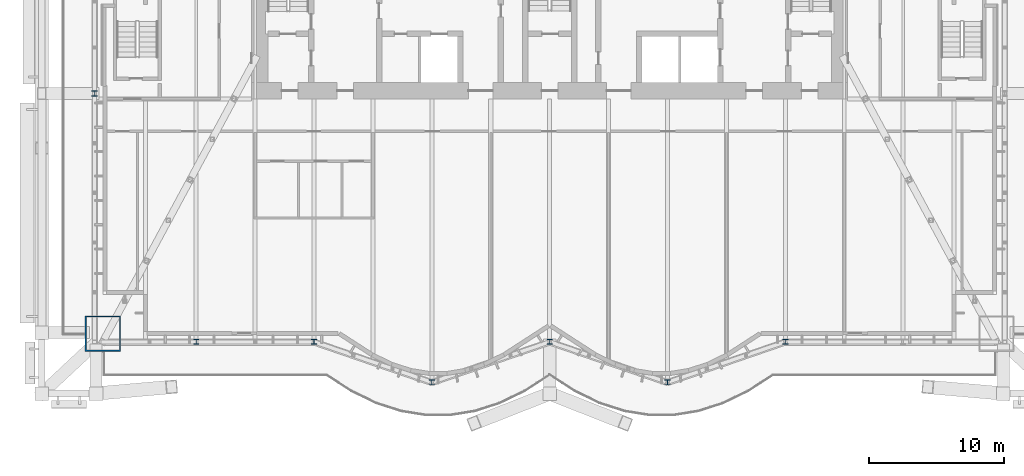
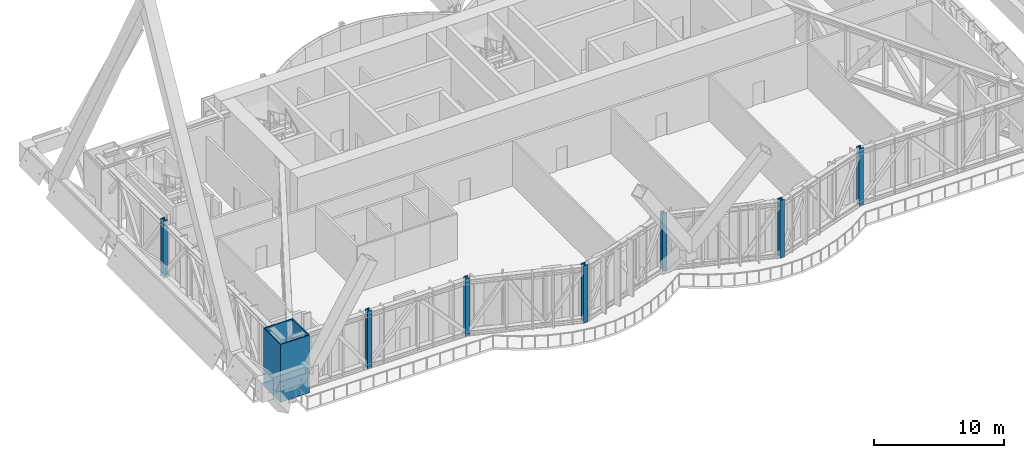
# One storey, part 1 of 30: 8 columns.
"""IFC4 building model written with IfcOpenShell, lengths in metres."""

from ifc_helpers import new_model, si_unit, direction, frame, origin, origin_2d, place, context, subcontext, project, spatial, hollow_rectangle, i_section, extrude, material, material_profile, profile_set, type_object, element, save


model = new_model("IFC4")

# Units and contexts
model_context = context("Model", 3, precision=1e-05, world=origin(), true_north=direction((0.0, 1.0)))
body_context = subcontext(model_context, "Body", "Model", "MODEL_VIEW")
ifc_project = project(units=[si_unit("LENGTHUNIT", "METRE"), si_unit("AREAUNIT", "SQUARE_METRE"), si_unit("VOLUMEUNIT", "CUBIC_METRE"), si_unit("PLANEANGLEUNIT", "RADIAN"), si_unit("MASSUNIT", "GRAM", prefix="KILO")], contexts=[model_context])

# Site, building, storey
site_placement = place(None, origin())
site = spatial("IfcSite", under=ifc_project, at=site_placement, CompositionType="ELEMENT")
building_placement = place(site_placement, origin())
building = spatial("IfcBuilding", under=site, at=building_placement, Name="Bicima Exchange Tower", CompositionType="ELEMENT")
storey_placement = place(building_placement, frame((0.0, 0.0, 185.5)))
storey = spatial("IfcBuildingStorey", under=building, at=storey_placement, Name="L41", CompositionType="ELEMENT", Elevation=185.5)

# Columns
ifc_material_1 = material(Name="Steel ASTM A572 Gr 50", Category="steel")
ifc_material_profile_1 = material_profile(ifc_material_1, hollow_rectangle(XDim=2.60009765625, YDim=2.60009765625, WallThickness=0.080078125, at=origin_2d()))
ifc_profile_set_1 = profile_set([ifc_material_profile_1], Name="Steel ASTM A572 Gr 50")
column_type_1 = type_object("IfcColumnType", Name="Mega column BOX 2600x2600x80", PredefinedType="COLUMN", material=ifc_profile_set_1)
column_placement = place(storey_placement, frame((-33.0, -30.337890625, 0.0), z_axis=(0.0, 0.0, 1.0), x_axis=(1.0, 0.0, 0.0)))
element("IfcColumn", 1, at=column_placement, inside=storey, type_object=column_type_1, Name="Mega column mega-33.0f", PredefinedType="COLUMN", context=body_context, shape_type="SweptSolid", body=[
    extrude(hollow_rectangle(XDim=2.60009765625, YDim=2.60009765625, WallThickness=0.080078125, at=origin_2d()), origin(), (0.0, 0.0, 1.0), 5.39990234375),
])
ifc_material_2 = material(Name="Steel ASTM A992 Gr 50", Category="steel")
ifc_material_profile_2 = material_profile(ifc_material_2, i_section(OverallWidth=0.396240234375, OverallDepth=0.381103515625, WebThickness=0.01904296875, FlangeThickness=0.0302734375, at=origin_2d()))
ifc_profile_set_2 = profile_set([ifc_material_profile_2], Name="Steel ASTM A992 Gr 50")
column_type_2 = type_object("IfcColumnType", Name="Perimeter column W14x159", PredefinedType="COLUMN", material=ifc_profile_set_2)
for number, where, z_axis, x_axis, name in (
    (2, (-26.10009765625, -30.93798828125, 0.0), (0.0, 0.0, 1.0), (1.0, 0.0, 0.0), "Perimeter column grav-26.1f"),
    (3, (-17.39990234375, -30.93798828125, 0.0), (0.0, 0.0, 1.0), (1.0, 0.0, 0.0), "Perimeter column grav-17.4f"),
    (4, (-8.699951171875, -33.92919921875, 0.0), (0.0, 0.0, 1.0), (1.0, 0.0, 0.0), "Perimeter column grav-8.7f"),
    (5, (0.0, -30.93798828125, 0.0), (0.0, 0.0, 1.0), (1.0, 0.0, 0.0), "Perimeter column grav-0.0f"),
    (6, (8.699951171875, -33.92919921875, 0.0), (0.0, 0.0, 1.0), (1.0, 0.0, 0.0), "Perimeter column grav+8.7f"),
    (7, (17.39990234375, -30.93798828125, 0.0), (0.0, 0.0, 1.0), (1.0, 0.0, 0.0), "Perimeter column grav+17.4f"),
    (8, (-33.60009765625, -12.60009765625, 0.0), (0.0, 0.0, 1.0), (1.0, 0.0, 0.0), "End column end-33.6e"),
):
    element("IfcColumn", number, at=place(storey_placement, frame(where, z_axis=z_axis, x_axis=x_axis)), inside=storey, type_object=column_type_2, Name=name, PredefinedType="COLUMN", context=body_context, shape_type="SweptSolid", body=[
        extrude(i_section(OverallWidth=0.396240234375, OverallDepth=0.381103515625, WebThickness=0.01904296875, FlangeThickness=0.0302734375, at=origin_2d()), origin(), (0.0, 0.0, 1.0), 5.39990234375),
    ])

save(model, "model.ifc")
